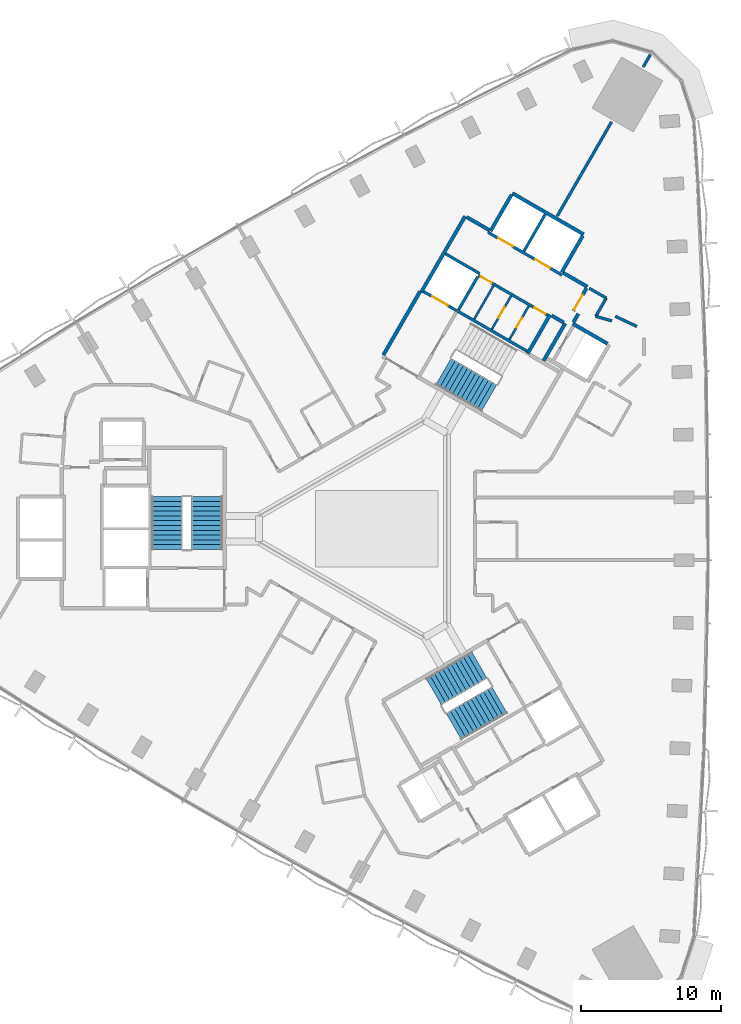
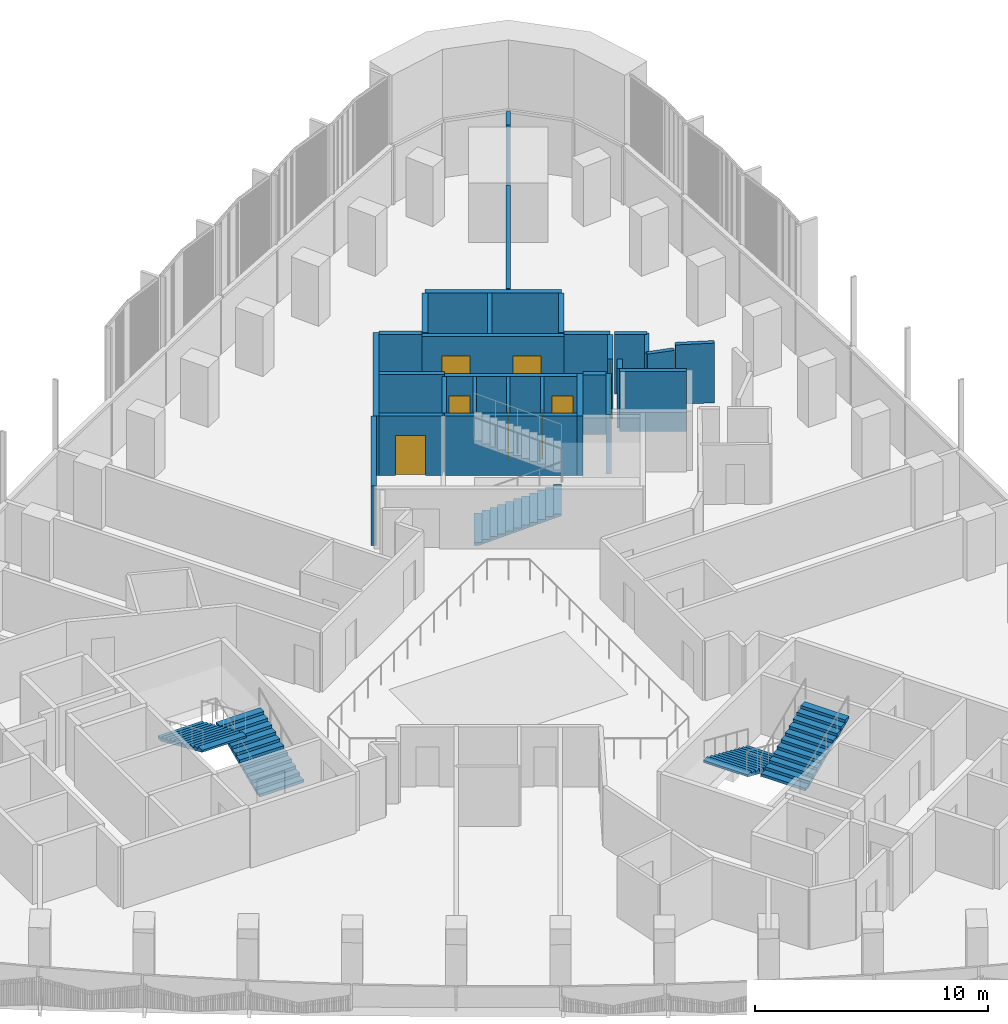
# One storey, part 11 of 15: 29 walls, 8 doors, 5 stair flights, 8 openings, 3 elements without a shape of their own.
"""IFC4 building model written with IfcOpenShell, lengths in metres."""

from ifc_helpers import new_model, si_unit, direction, frame, frame_2d, origin, place, context, subcontext, project, spatial, polyline, rectangle, outline, extrude, material, layer, layer_set, type_object, element, fill, aggregate, save


model = new_model("IFC4")

# Units and contexts
model_context = context("Model", 3, precision=1e-05, world=origin(), true_north=direction((0.0, 1.0)))
body_context = subcontext(model_context, "Body", "Model", "MODEL_VIEW")
ifc_project = project(units=[si_unit("LENGTHUNIT", "METRE"), si_unit("AREAUNIT", "SQUARE_METRE"), si_unit("VOLUMEUNIT", "CUBIC_METRE"), si_unit("PLANEANGLEUNIT", "RADIAN"), si_unit("MASSUNIT", "GRAM", prefix="KILO")], contexts=[model_context])

# Site, building, storey
site_placement = place(None, origin())
site = spatial("IfcSite", under=ifc_project, at=site_placement, CompositionType="ELEMENT")
building_placement = place(site_placement, origin())
building = spatial("IfcBuilding", under=site, at=building_placement, Name="Tamra Quay Hotel Tower", CompositionType="ELEMENT")
storey_placement = place(building_placement, frame((0.0, 0.0, 35.0)))
storey = spatial("IfcBuildingStorey", under=building, at=storey_placement, Name="L06", CompositionType="ELEMENT", Elevation=35.0)

# Wall, openings, doors
ifc_material_1 = material(Name="Concrete M70", Category="concrete")
ifc_layer_1 = layer(ifc_material_1, 0.199951171875)
ifc_layer_set_1 = layer_set([ifc_layer_1], Name="Concrete M70 core wall 200")
wall_type_1 = type_object("IfcWallType", Name="Concrete M70 core wall 200", PredefinedType="SHEAR", material=ifc_layer_set_1)
wall_1_placement = place(storey_placement, frame((13.209716796875, 18.07958984375, 0.0), z_axis=(0.0, 0.0, 1.0), x_axis=(-0.866030299012, 0.499991521122, 0.0)))
wall_1 = element("IfcWall", 1, at=wall_1_placement, inside=storey, type_object=wall_type_1, Name="CW2", PredefinedType="SHEAR", context=body_context, shape_type="SweptSolid", body=[
    extrude(rectangle(XDim=6.10009765625, YDim=0.199951171875, at=frame_2d((3.050048828125, 0.0))), origin(), (0.0, 0.0, 1.0), 3.125),
])
opening_1_placement = place(wall_1_placement, frame((1.0, 0.0, 0.0)))
opening_1 = element("IfcOpeningElement", 2, at=opening_1_placement, cuts=wall_1, Name="Opening LD", PredefinedType="OPENING", context=body_context, shape_type="SweptSolid", body=[
    extrude(rectangle(XDim=1.199951171875, YDim=2.10009765625, at=frame_2d((0.60009765625, 1.050048828125))), frame((0.0, 0.10986328125, 0.0), z_axis=(0.0, -1.0, 0.0), x_axis=(1.0, 0.0, 0.0)), (0.0, 0.0, 1.0), 0.219970703125),
])
opening_2_placement = place(wall_1_placement, frame((4.05029296875, 0.0, 0.0)))
opening_2 = element("IfcOpeningElement", 3, at=opening_2_placement, cuts=wall_1, Name="Opening LD", PredefinedType="OPENING", context=body_context, shape_type="SweptSolid", body=[
    extrude(rectangle(XDim=1.199951171875, YDim=2.10009765625, at=frame_2d((0.60009765625, 1.050048828125))), frame((0.0, 0.10986328125, 0.0), z_axis=(0.0, -1.0, 0.0), x_axis=(1.0, 0.0, 0.0)), (0.0, 0.0, 1.0), 0.219970703125),
])
ifc_material_2 = material(Name="Landing door LD 1200 double door sliding")
door_type_1 = type_object("IfcDoorType", Name="Landing door LD 1200 double door sliding", OperationType="DOUBLE_DOOR_SLIDING", PredefinedType="DOOR", material=ifc_material_2)
door_1_placement = place(opening_1_placement, origin())
door_1 = element("IfcDoor", 4, at=door_1_placement, inside=storey, type_object=door_type_1, Name="LD", OperationType="DOUBLE_DOOR_SLIDING", OverallHeight=2.10009765625, OverallWidth=1.199951171875, PredefinedType="DOOR", context=body_context, shape_type="SweptSolid", body=[
    extrude(rectangle(XDim=1.199951171875, YDim=2.10009765625, at=frame_2d((0.60009765625, 1.050048828125))), frame((0.0, 0.02490234375, 0.0), z_axis=(0.0, -1.0, 0.0), x_axis=(1.0, 0.0, 0.0)), (0.0, 0.0, 1.0), 0.050048828125),
])
fill(opening_1, door_1)
door_2_placement = place(opening_2_placement, origin())
door_2 = element("IfcDoor", 5, at=door_2_placement, inside=storey, type_object=door_type_1, Name="LD", OperationType="DOUBLE_DOOR_SLIDING", OverallHeight=2.10009765625, OverallWidth=1.199951171875, PredefinedType="DOOR", context=body_context, shape_type="SweptSolid", body=[
    extrude(rectangle(XDim=1.199951171875, YDim=2.10009765625, at=frame_2d((0.60009765625, 1.050048828125))), frame((0.0, 0.02490234375, 0.0), z_axis=(0.0, -1.0, 0.0), x_axis=(1.0, 0.0, 0.0)), (0.0, 0.0, 1.0), 0.050048828125),
])
fill(opening_2, door_2)

# Wall
wall_2_placement = place(storey_placement, frame((5.774658203125, 15.501953125, 0.0), z_axis=(0.0, 0.0, 1.0), x_axis=(0.866020080793, -0.500009219579, 0.0)))
element("IfcWall", 6, at=wall_2_placement, inside=storey, type_object=wall_type_1, Name="CW2", PredefinedType="SHEAR", context=body_context, shape_type="SweptSolid", body=[
    extrude(rectangle(XDim=5.69921875, YDim=0.199951171875, at=frame_2d((2.849609375, 0.0))), origin(), (0.0, 0.0, 1.0), 3.125),
])

# Wall, openings, doors
wall_3_placement = place(storey_placement, frame((12.18505859375, 15.20703125, 0.0), z_axis=(0.0, 0.0, 1.0), x_axis=(-0.866020080793, 0.500009219579, 0.0)))
wall_3 = element("IfcWall", 7, at=wall_3_placement, inside=storey, type_object=wall_type_1, Name="CW2", PredefinedType="SHEAR", context=body_context, shape_type="SweptSolid", body=[
    extrude(rectangle(XDim=5.69921875, YDim=0.199951171875, at=frame_2d((2.849609375, 0.0))), origin(), (0.0, 0.0, 1.0), 3.125),
])
opening_3_placement = place(wall_3_placement, frame((0.174072265625, 0.0, 0.0)))
opening_3 = element("IfcOpeningElement", 8, at=opening_3_placement, cuts=wall_3, Name="Opening D2", PredefinedType="OPENING", context=body_context, shape_type="SweptSolid", body=[
    extrude(rectangle(XDim=0.89990234375, YDim=2.10009765625, at=frame_2d((0.449951171875, 1.050048828125))), frame((0.0, 0.10986328125, 0.0), z_axis=(0.0, -1.0, 0.0), x_axis=(1.0, 0.0, 0.0)), (0.0, 0.0, 1.0), 0.219970703125),
])
opening_4_placement = place(wall_3_placement, frame((4.59912109375, 0.0, 0.0)))
opening_4 = element("IfcOpeningElement", 9, at=opening_4_placement, cuts=wall_3, Name="Opening D2", PredefinedType="OPENING", context=body_context, shape_type="SweptSolid", body=[
    extrude(rectangle(XDim=0.89990234375, YDim=2.10009765625, at=frame_2d((0.449951171875, 1.050048828125))), frame((0.0, 0.10986328125, 0.0), z_axis=(0.0, -1.0, 0.0), x_axis=(1.0, 0.0, 0.0)), (0.0, 0.0, 1.0), 0.219970703125),
])
ifc_material_3 = material(Name="Core door D2 900x2100 LH")
door_type_2 = type_object("IfcDoorType", Name="Core door D2 900x2100 LH", OperationType="NOTDEFINED", PredefinedType="DOOR", material=ifc_material_3)
door_3_placement = place(opening_4_placement, origin())
door_3 = element("IfcDoor", 10, at=door_3_placement, inside=storey, type_object=door_type_2, Name="D2", OperationType="SINGLE_SWING_LEFT", OverallHeight=2.10009765625, OverallWidth=0.89990234375, PredefinedType="DOOR", context=body_context, shape_type="SweptSolid", body=[
    extrude(rectangle(XDim=0.89990234375, YDim=2.10009765625, at=frame_2d((0.449951171875, 1.050048828125))), frame((0.0, 0.02490234375, 0.0), z_axis=(0.0, -1.0, 0.0), x_axis=(1.0, 0.0, 0.0)), (0.0, 0.0, 1.0), 0.050048828125),
])
fill(opening_4, door_3)
ifc_material_4 = material(Name="Core door D2 900x2100 RH")
door_type_3 = type_object("IfcDoorType", Name="Core door D2 900x2100 RH", OperationType="NOTDEFINED", PredefinedType="DOOR", material=ifc_material_4)
door_4_placement = place(opening_3_placement, origin())
door_4 = element("IfcDoor", 11, at=door_4_placement, inside=storey, type_object=door_type_3, Name="D2", OperationType="SINGLE_SWING_RIGHT", OverallHeight=2.10009765625, OverallWidth=0.89990234375, PredefinedType="DOOR", context=body_context, shape_type="SweptSolid", body=[
    extrude(rectangle(XDim=0.89990234375, YDim=2.10009765625, at=frame_2d((0.449951171875, 1.050048828125))), frame((0.0, 0.02490234375, 0.0), z_axis=(0.0, -1.0, 0.0), x_axis=(1.0, 0.0, 0.0)), (0.0, 0.0, 1.0), 0.050048828125),
])
fill(opening_3, door_4)

# Walls
wall_4_placement = place(storey_placement, frame((10.48876953125, 19.76708984375, 0.0), z_axis=(0.0, 0.0, 1.0), x_axis=(0.499946628782, 0.866056215479, 0.0)))
element("IfcWall", 12, at=wall_4_placement, inside=storey, type_object=wall_type_1, Name="CW2", PredefinedType="SHEAR", context=body_context, shape_type="SweptSolid", body=[
    extrude(rectangle(XDim=3.048095703125, YDim=0.199951171875, at=frame_2d((1.52392578125, 0.0))), origin(), (0.0, 0.0, 1.0), 3.125),
])
wall_5_placement = place(storey_placement, frame((7.199462890625, 17.969970703125, 0.0), z_axis=(0.0, 0.0, 1.0), x_axis=(-0.499968400327, -0.866043647095, 0.0)))
element("IfcWall", 13, at=wall_5_placement, inside=storey, type_object=wall_type_1, Name="CW2", PredefinedType="SHEAR", context=body_context, shape_type="SweptSolid", body=[
    extrude(rectangle(XDim=2.749755859375, YDim=0.199951171875, at=frame_2d((1.375, 0.0))), origin(), (0.0, 0.0, 1.0), 3.125),
])

# Wall, opening, door
wall_6_placement = place(storey_placement, frame((5.72509765625, 15.530517578125, 0.0), z_axis=(0.0, 0.0, 1.0), x_axis=(-0.866037306777, 0.499979382845, 0.0)))
wall_6 = element("IfcWall", 14, at=wall_6_placement, inside=storey, type_object=wall_type_1, Name="CW2", PredefinedType="SHEAR", context=body_context, shape_type="SweptSolid", body=[
    extrude(rectangle(XDim=2.74169921875, YDim=0.199951171875, at=frame_2d((1.370849609375, 0.0))), origin(), (0.0, 0.0, 1.0), 3.125),
])
opening_5_placement = place(wall_6_placement, frame((0.742919921875, 0.0, 0.0)))
opening_5 = element("IfcOpeningElement", 15, at=opening_5_placement, cuts=wall_6, Name="Opening LD", PredefinedType="OPENING", context=body_context, shape_type="SweptSolid", body=[
    extrude(rectangle(XDim=1.300048828125, YDim=2.10009765625, at=frame_2d((0.64990234375, 1.050048828125))), frame((0.0, 0.10986328125, 0.0), z_axis=(0.0, -1.0, 0.0), x_axis=(1.0, 0.0, 0.0)), (0.0, 0.0, 1.0), 0.219970703125),
])
ifc_material_5 = material(Name="Landing door LD 1300 sliding to left")
door_type_4 = type_object("IfcDoorType", Name="Landing door LD 1300 sliding to left", OperationType="NOTDEFINED", PredefinedType="DOOR", material=ifc_material_5)
door_5_placement = place(opening_5_placement, origin())
door_5 = element("IfcDoor", 16, at=door_5_placement, inside=storey, type_object=door_type_4, Name="LD", OperationType="SLIDING_TO_LEFT", OverallHeight=2.10009765625, OverallWidth=1.300048828125, PredefinedType="DOOR", context=body_context, shape_type="SweptSolid", body=[
    extrude(rectangle(XDim=1.300048828125, YDim=2.10009765625, at=frame_2d((0.64990234375, 1.050048828125))), frame((0.0, 0.02490234375, 0.0), z_axis=(0.0, -1.0, 0.0), x_axis=(1.0, 0.0, 0.0)), (0.0, 0.0, 1.0), 0.050048828125),
])
fill(opening_5, door_5)

# Walls
wall_7_placement = place(storey_placement, frame((4.900634765625, 19.5859375, 0.0), z_axis=(0.0, 0.0, 1.0), x_axis=(0.866022890907, -0.500004352405, 0.0)))
element("IfcWall", 17, at=wall_7_placement, inside=storey, type_object=wall_type_1, Name="CW2", PredefinedType="SHEAR", context=body_context, shape_type="SweptSolid", body=[
    extrude(rectangle(XDim=2.798828125, YDim=0.199951171875, at=frame_2d((1.3994140625, 0.0))), origin(), (0.0, 0.0, 1.0), 3.125),
])
ifc_layer_2 = layer(ifc_material_1, 0.25)
ifc_layer_set_2 = layer_set([ifc_layer_2], Name="Concrete M70 core wall 250")
wall_type_2 = type_object("IfcWallType", Name="Concrete M70 core wall 250", PredefinedType="SHEAR", material=ifc_layer_set_2)
wall_8_placement = place(storey_placement, frame((3.178955078125, 16.856201171875, 0.0), z_axis=(0.0, 0.0, 1.0), x_axis=(0.500004234368, 0.866022959057, 0.0)))
element("IfcWall", 18, at=wall_8_placement, inside=storey, type_object=wall_type_2, Name="CW1", PredefinedType="SHEAR", context=body_context, shape_type="SweptSolid", body=[
    extrude(rectangle(XDim=6.25, YDim=0.25, at=frame_2d((3.125, 0.0))), origin(), (0.0, 0.0, 1.0), 3.125),
])
wall_9_placement = place(storey_placement, frame((9.672607421875, 23.9033203125, 0.0), z_axis=(0.0, 0.0, 1.0), x_axis=(0.86603616409, -0.499981362141, 0.0)))
element("IfcWall", 19, at=wall_9_placement, inside=storey, type_object=wall_type_2, Name="CW1", PredefinedType="SHEAR", context=body_context, shape_type="SweptSolid", body=[
    extrude(rectangle(XDim=5.849853515625, YDim=0.25, at=frame_2d((2.9248046875, 0.0))), origin(), (0.0, 0.0, 1.0), 3.125),
])
wall_10_placement = place(storey_placement, frame((0.47998046875, 12.38134765625, 0.0), z_axis=(0.0, 0.0, 1.0), x_axis=(0.49999885962, 0.866026062182, 0.0)))
element("IfcWall", 20, at=wall_10_placement, inside=storey, type_object=wall_type_2, Name="CW1", PredefinedType="SHEAR", context=body_context, shape_type="SweptSolid", body=[
    extrude(rectangle(XDim=5.224609375, YDim=0.25, at=frame_2d((2.6123046875, 0.0))), origin(), (0.0, 0.0, 1.0), 3.125),
])
wall_11_placement = place(storey_placement, frame((12.356689453125, 15.25244140625, 0.0), z_axis=(0.0, 0.0, 1.0), x_axis=(-0.500028443584, -0.866008981251, 0.0)))
element("IfcWall", 21, at=wall_11_placement, inside=storey, type_object=wall_type_2, Name="CW1", PredefinedType="SHEAR", context=body_context, shape_type="SweptSolid", body=[
    extrude(rectangle(XDim=3.199951171875, YDim=0.25, at=frame_2d((1.60009765625, 0.0))), origin(), (0.0, 0.0, 1.0), 3.125),
])
for number, where, z_axis, x_axis, name in (
    (22, (8.12255859375, 21.21875, 0.0), (0.0, 0.0, 1.0), (0.499987686533, 0.866032512851, 0.0), "CW1"),
    (23, (14.67626953125, 20.869873046875, 0.0), (0.0, 0.0, 1.0), (-0.499987686533, -0.866032512851, 0.0), "CW1"),
):
    element("IfcWall", number, at=place(storey_placement, frame(where, z_axis=z_axis, x_axis=x_axis)), inside=storey, type_object=wall_type_2, Name=name, PredefinedType="SHEAR", context=body_context, shape_type="SweptSolid", body=[
        extrude(rectangle(XDim=2.974609375, YDim=0.25, at=frame_2d((1.4873046875, 0.0))), origin(), (0.0, 0.0, 1.0), 3.125),
    ])
wall_12_placement = place(storey_placement, frame((13.962646484375, 14.61376953125, 0.0), z_axis=(0.0, 0.0, 1.0), x_axis=(0.866042235819, -0.499970844928, 0.0)))
element("IfcWall", 24, at=wall_12_placement, inside=storey, type_object=wall_type_2, Name="CW1", PredefinedType="SHEAR", context=body_context, shape_type="SweptSolid", body=[
    extrude(rectangle(XDim=2.864501953125, YDim=0.25, at=frame_2d((1.43212890625, 0.0))), origin(), (0.0, 0.0, 1.0), 3.125),
])
wall_13_placement = place(storey_placement, frame((11.887939453125, 11.960693359375, 0.0), z_axis=(0.0, 0.0, 1.0), x_axis=(0.500003324108, 0.866023484601, 0.0)))
element("IfcWall", 25, at=wall_13_placement, inside=storey, type_object=wall_type_2, Name="CW1", PredefinedType="SHEAR", context=body_context, shape_type="SweptSolid", body=[
    extrude(rectangle(XDim=3.0849609375, YDim=0.25, at=frame_2d((1.54248046875, 0.0))), origin(), (0.0, 0.0, 1.0), 3.125),
])
wall_14_placement = place(storey_placement, frame((13.29736328125, 18.23095703125, 0.0), z_axis=(0.0, 0.0, 1.0), x_axis=(0.866043531843, -0.499968599967, 0.0)))
element("IfcWall", 26, at=wall_14_placement, inside=storey, type_object=wall_type_2, Name="CW1", PredefinedType="SHEAR", context=body_context, shape_type="SweptSolid", body=[
    extrude(rectangle(XDim=1.974853515625, YDim=0.25, at=frame_2d((0.9873046875, 0.0))), origin(), (0.0, 0.0, 1.0), 3.125),
])
wall_15_placement = place(storey_placement, frame((6.41259765625, 22.2060546875, 0.0), z_axis=(0.0, 0.0, 1.0), x_axis=(0.866016279763, -0.500015802937, 0.0)))
element("IfcWall", 27, at=wall_15_placement, inside=storey, type_object=wall_type_2, Name="CW1", PredefinedType="SHEAR", context=body_context, shape_type="SweptSolid", body=[
    extrude(rectangle(XDim=1.84912109375, YDim=0.25, at=frame_2d((0.924560546875, 0.0))), origin(), (0.0, 0.0, 1.0), 3.125),
])

# Wall, opening, door
wall_16_placement = place(storey_placement, frame((14.94482421875, 17.13525390625, 0.0), z_axis=(0.0, 0.0, 1.0), x_axis=(-0.499983108224, -0.866035156036, 0.0)))
wall_16 = element("IfcWall", 28, at=wall_16_placement, inside=storey, type_object=wall_type_2, Name="CW1", PredefinedType="SHEAR", context=body_context, shape_type="SweptSolid", body=[
    extrude(rectangle(XDim=1.86474609375, YDim=0.25, at=frame_2d((0.932373046875, 0.0))), origin(), (0.0, 0.0, 1.0), 3.125),
])
opening_6_placement = place(wall_16_placement, frame((0.53466796875, 0.0, 0.0)))
opening_6 = element("IfcOpeningElement", 29, at=opening_6_placement, cuts=wall_16, Name="Opening FD3", PredefinedType="OPENING", context=body_context, shape_type="SweptSolid", body=[
    extrude(rectangle(XDim=1.25, YDim=2.10009765625, at=frame_2d((0.625, 1.050048828125))), frame((0.0, 0.135009765625, 0.0), z_axis=(0.0, -1.0, 0.0), x_axis=(1.0, 0.0, 0.0)), (0.0, 0.0, 1.0), 0.27001953125),
])
ifc_material_6 = material(Name="Core door FD3 1250x2100 LH")
door_type_5 = type_object("IfcDoorType", Name="Core door FD3 1250x2100 LH", OperationType="NOTDEFINED", PredefinedType="DOOR", material=ifc_material_6)
door_6_placement = place(opening_6_placement, origin())
door_6 = element("IfcDoor", 30, at=door_6_placement, inside=storey, type_object=door_type_5, Name="FD3", OperationType="SINGLE_SWING_LEFT", OverallHeight=2.10009765625, OverallWidth=1.25, PredefinedType="DOOR", context=body_context, shape_type="SweptSolid", body=[
    extrude(rectangle(XDim=1.25, YDim=2.10009765625, at=frame_2d((0.625, 1.050048828125))), frame((0.0, 0.02490234375, 0.0), z_axis=(0.0, -1.0, 0.0), x_axis=(1.0, 0.0, 0.0)), (0.0, 0.0, 1.0), 0.050048828125),
])
fill(opening_6, door_6)

# Walls
wall_17_placement = place(storey_placement, frame((13.322021484375, 14.695068359375, 0.0), z_axis=(0.0, 0.0, 1.0), x_axis=(-0.866017078145, 0.500014420154, 0.0)))
element("IfcWall", 31, at=wall_17_placement, inside=storey, type_object=wall_type_2, Name="CW1", PredefinedType="SHEAR", context=body_context, shape_type="SweptSolid", body=[
    extrude(rectangle(XDim=0.9892578125, YDim=0.25, at=frame_2d((0.49462890625, 0.0))), origin(), (0.0, 0.0, 1.0), 3.125),
])
wall_18_placement = place(storey_placement, frame((14.36767578125, 15.3154296875, 0.0), z_axis=(0.0, 0.0, 1.0), x_axis=(-0.499897359611, -0.866084655132, 0.0)))
element("IfcWall", 32, at=wall_18_placement, inside=storey, type_object=wall_type_2, Name="CW1", PredefinedType="SHEAR", context=body_context, shape_type="SweptSolid", body=[
    extrude(rectangle(XDim=0.684814453125, YDim=0.25, at=frame_2d((0.34228515625, 0.0))), origin(), (0.0, 0.0, 1.0), 3.125),
])

# Wall, opening, door
ifc_material_7 = material(Name="Blockwork", Category="masonry")
ifc_layer_3 = layer(ifc_material_7, 0.14990234375)
ifc_layer_set_3 = layer_set([ifc_layer_3], Name="Core partition block 150")
wall_type_3 = type_object("IfcWallType", Name="Core partition block 150", PredefinedType="PARTITIONING", material=ifc_layer_set_3)
wall_19_placement = place(storey_placement, frame((9.462158203125, 13.4892578125, 0.0), z_axis=(0.0, 0.0, 1.0), x_axis=(0.50002746344, 0.86600954718, 0.0)))
wall_19 = element("IfcWall", 33, at=wall_19_placement, inside=storey, type_object=wall_type_3, Name="CP1", PredefinedType="PARTITIONING", context=body_context, shape_type="SweptSolid", body=[
    extrude(rectangle(XDim=2.748291015625, YDim=0.14990234375, at=frame_2d((1.3740234375, 0.0))), origin(), (0.0, 0.0, 1.0), 3.125),
])
opening_7_placement = place(wall_19_placement, frame((0.97412109375, 0.0, 0.0)))
opening_7 = element("IfcOpeningElement", 34, at=opening_7_placement, cuts=wall_19, Name="Opening D3", PredefinedType="OPENING", context=body_context, shape_type="SweptSolid", body=[
    extrude(rectangle(XDim=0.800048828125, YDim=2.10009765625, at=frame_2d((0.39990234375, 1.050048828125))), frame((0.0, 0.0849609375, 0.0), z_axis=(0.0, -1.0, 0.0), x_axis=(1.0, 0.0, 0.0)), (0.0, 0.0, 1.0), 0.169921875),
])
ifc_material_8 = material(Name="Core door D3 800x2100 LH")
door_type_6 = type_object("IfcDoorType", Name="Core door D3 800x2100 LH", OperationType="NOTDEFINED", PredefinedType="DOOR", material=ifc_material_8)
door_7_placement = place(opening_7_placement, origin())
door_7 = element("IfcDoor", 35, at=door_7_placement, inside=storey, type_object=door_type_6, Name="D3", OperationType="SINGLE_SWING_LEFT", OverallHeight=2.10009765625, OverallWidth=0.800048828125, PredefinedType="DOOR", context=body_context, shape_type="SweptSolid", body=[
    extrude(rectangle(XDim=0.800048828125, YDim=2.10009765625, at=frame_2d((0.39990234375, 1.050048828125))), frame((0.0, 0.02490234375, 0.0), z_axis=(0.0, -1.0, 0.0), x_axis=(1.0, 0.0, 0.0)), (0.0, 0.0, 1.0), 0.050048828125),
])
fill(opening_7, door_7)

wall_20_placement = place(storey_placement, frame((8.20654296875, 14.214111328125, 0.0), z_axis=(0.0, 0.0, 1.0), x_axis=(0.499922376475, 0.866070215109, 0.0)))
wall_20 = element("IfcWall", 36, at=wall_20_placement, inside=storey, type_object=wall_type_3, Name="CP1", PredefinedType="PARTITIONING", context=body_context, shape_type="SweptSolid", body=[
    extrude(rectangle(XDim=2.74853515625, YDim=0.14990234375, at=frame_2d((1.374267578125, 0.0))), origin(), (0.0, 0.0, 1.0), 3.125),
])
opening_8_placement = place(wall_20_placement, frame((0.92431640625, 0.0, 0.0)))
opening_8 = element("IfcOpeningElement", 37, at=opening_8_placement, cuts=wall_20, Name="Opening D2", PredefinedType="OPENING", context=body_context, shape_type="SweptSolid", body=[
    extrude(rectangle(XDim=0.89990234375, YDim=2.10009765625, at=frame_2d((0.449951171875, 1.050048828125))), frame((0.0, 0.0849609375, 0.0), z_axis=(0.0, -1.0, 0.0), x_axis=(1.0, 0.0, 0.0)), (0.0, 0.0, 1.0), 0.169921875),
])
door_8_placement = place(opening_8_placement, origin())
door_8 = element("IfcDoor", 38, at=door_8_placement, inside=storey, type_object=door_type_3, Name="D2", OperationType="SINGLE_SWING_RIGHT", OverallHeight=2.10009765625, OverallWidth=0.89990234375, PredefinedType="DOOR", context=body_context, shape_type="SweptSolid", body=[
    extrude(rectangle(XDim=0.89990234375, YDim=2.10009765625, at=frame_2d((0.449951171875, 1.050048828125))), frame((0.0, 0.02490234375, 0.0), z_axis=(0.0, -1.0, 0.0), x_axis=(1.0, 0.0, 0.0)), (0.0, 0.0, 1.0), 0.050048828125),
])
fill(opening_8, door_8)

# Walls
wall_21_placement = place(storey_placement, frame((6.95068359375, 14.939208984375, 0.0), z_axis=(0.0, 0.0, 1.0), x_axis=(0.50002746344, 0.86600954718, 0.0)))
element("IfcWall", 39, at=wall_21_placement, inside=storey, type_object=wall_type_3, Name="CP1", PredefinedType="PARTITIONING", context=body_context, shape_type="SweptSolid", body=[
    extrude(rectangle(XDim=2.748291015625, YDim=0.14990234375, at=frame_2d((1.3740234375, 0.0))), origin(), (0.0, 0.0, 1.0), 3.125),
])
ifc_material_9 = material(Name="Partition corridor wall")
ifc_layer_4 = layer(ifc_material_9, 0.199951171875)
ifc_layer_set_4 = layer_set([ifc_layer_4], Name="Partition corridor wall")
wall_type_4 = type_object("IfcWallType", Name="Partition corridor wall", PredefinedType="PARTITIONING", material=ifc_layer_set_4)
wall_22_placement = place(storey_placement, frame((15.155517578125, 17.130126953125, 0.0), z_axis=(0.0, 0.0, 1.0), x_axis=(0.865755062894, -0.500467952093, 0.0)))
element("IfcWall", 40, at=wall_22_placement, inside=storey, type_object=wall_type_4, Name="W-C", PredefinedType="PARTITIONING", context=body_context, shape_type="SweptSolid", body=[
    extrude(rectangle(XDim=1.388916015625, YDim=0.199951171875, at=frame_2d((0.6943359375, 0.0))), origin(), (0.0, 0.0, 1.0), 3.125),
])
wall_23_placement = place(storey_placement, frame((15.60888671875, 15.135986328125, 0.0), z_axis=(0.0, 0.0, 1.0), x_axis=(0.499501622561, 0.866312950993, 0.0)))
element("IfcWall", 41, at=wall_23_placement, inside=storey, type_object=wall_type_4, Name="W-C", PredefinedType="PARTITIONING", context=body_context, shape_type="SweptSolid", body=[
    extrude(rectangle(XDim=1.49951171875, YDim=0.199951171875, at=frame_2d((0.749755859375, 0.0))), origin(), (0.0, 0.0, 1.0), 3.125),
])
wall_24_placement = place(storey_placement, frame((15.60888671875, 15.135986328125, 0.0), z_axis=(0.0, 0.0, 1.0), x_axis=(0.961662011825, -0.274237442763, 0.0)))
element("IfcWall", 42, at=wall_24_placement, inside=storey, type_object=wall_type_4, Name="W-C", PredefinedType="PARTITIONING", context=body_context, shape_type="SweptSolid", body=[
    extrude(rectangle(XDim=1.199951171875, YDim=0.199951171875, at=frame_2d((0.60009765625, 0.0))), origin(), (0.0, 0.0, 1.0), 3.125),
])
wall_25_placement = place(storey_placement, frame((17.009033203125, 15.134033203125, 0.0), z_axis=(0.0, 0.0, 1.0), x_axis=(0.904158632931, -0.427196870887, 0.0)))
element("IfcWall", 43, at=wall_25_placement, inside=storey, type_object=wall_type_4, Name="W-C", PredefinedType="PARTITIONING", context=body_context, shape_type="SweptSolid", body=[
    extrude(rectangle(XDim=1.687744140625, YDim=0.199951171875, at=frame_2d((0.84375, 0.0))), origin(), (0.0, 0.0, 1.0), 3.125),
])
ifc_material_10 = material(Name="Partition party wall")
ifc_layer_5 = layer(ifc_material_10, 0.199951171875)
ifc_layer_set_5 = layer_set([ifc_layer_5], Name="Partition party wall")
wall_type_5 = type_object("IfcWallType", Name="Partition party wall", PredefinedType="PARTITIONING", material=ifc_layer_set_5)
wall_26_placement = place(storey_placement, frame((12.861083984375, 22.276123046875, 0.0), z_axis=(0.0, 0.0, 1.0), x_axis=(0.499864184076, 0.866103802946, 0.0)))
element("IfcWall", 44, at=wall_26_placement, inside=storey, type_object=wall_type_5, Name="W-P", PredefinedType="PARTITIONING", context=body_context, shape_type="SweptSolid", body=[
    extrude(rectangle(XDim=7.754150390625, YDim=0.199951171875, at=frame_2d((3.876953125, 0.0))), origin(), (0.0, 0.0, 1.0), 3.125),
])
wall_27_placement = place(storey_placement, frame((18.987548828125, 32.891845703125, 0.0), z_axis=(0.0, 0.0, 1.0), x_axis=(0.500041382571, 0.866001510228, 0.0)))
element("IfcWall", 45, at=wall_27_placement, inside=storey, type_object=wall_type_5, Name="W-P", PredefinedType="PARTITIONING", context=body_context, shape_type="SweptSolid", body=[
    extrude(rectangle(XDim=1.01611328125, YDim=0.199951171875, at=frame_2d((0.508056640625, 0.0))), origin(), (0.0, 0.0, 1.0), 3.125),
])

# Stair, stair flights
ifc_material_11 = material(Name="Exit stair 2200 24 risers 150.0 going 342")
stair_type = type_object("IfcStairType", Name="Exit stair 2200 24 risers 150.0 going 342", PredefinedType="HALF_TURN_STAIR", material=ifc_material_11)
stair_1_placement = place(storey_placement, origin())
stair_1 = element("IfcStair", 46, at=stair_1_placement, inside=storey, type_object=stair_type, Name="L06 Exit stair ST3", PredefinedType="HALF_TURN_STAIR")
ifc_material_12 = material(Name="Exit stair flight 2200 12 risers 150.0")
stair_flight_type = type_object("IfcStairFlightType", Name="Exit stair flight 2200 12 risers 150.0", PredefinedType="STRAIGHT", material=ifc_material_12)
stair_flight_1_placement = place(storey_placement, frame((-12.082275390625, -1.47998046875, 0.0), z_axis=(0.0, 0.0, 1.0), x_axis=(0.0, 1.0, 0.0)))
stair_flight_1 = element("IfcStairFlight", 47, at=stair_flight_1_placement, type_object=stair_flight_type, Name="ST3 flight 1", NumberOfRisers=12, NumberOfTreads=11, PredefinedType="STRAIGHT", RiserHeight=0.15, TreadLength=0.342, context=body_context, shape_type="SweptSolid", body=[
    extrude(outline(polyline([(0.0, 0.0), (0.0, 0.14990234375), (0.342041015625, 0.14990234375), (0.342041015625, 0.300048828125), (0.68408203125, 0.300048828125), (0.68408203125, 0.449951171875), (1.02587890625, 0.449951171875), (1.02587890625, 0.60009765625), (1.367919921875, 0.60009765625), (1.367919921875, 0.75), (1.7099609375, 0.75), (1.7099609375, 0.89990234375), (2.052001953125, 0.89990234375), (2.052001953125, 1.050048828125), (2.39404296875, 1.050048828125), (2.39404296875, 1.199951171875), (2.736083984375, 1.199951171875), (2.736083984375, 1.35009765625), (3.077880859375, 1.35009765625), (3.077880859375, 1.5), (3.419921875, 1.5), (3.419921875, 1.64990234375), (3.761962890625, 1.64990234375), (3.761962890625, 1.800048828125), (3.761962890625, 1.540771484375), (0.249267578125, 0.0), (0.0, 0.0)])), frame((0.0, 1.10009765625, 0.0), z_axis=(0.0, -1.0, 0.0), x_axis=(1.0, 0.0, 0.0)), (0.0, 0.0, 1.0), 2.199951171875),
])
stair_flight_2_placement = place(storey_placement, frame((-14.94140625, 2.281982421875, 1.800048828125), z_axis=(0.0, 0.0, 1.0), x_axis=(0.0, -1.0, 0.0)))
stair_flight_2 = element("IfcStairFlight", 48, at=stair_flight_2_placement, type_object=stair_flight_type, Name="ST3 flight 2", NumberOfRisers=12, NumberOfTreads=11, PredefinedType="STRAIGHT", RiserHeight=0.15, TreadLength=0.342, context=body_context, shape_type="SweptSolid", body=[
    extrude(outline(polyline([(0.0, 0.0), (0.0, 0.14990234375), (0.342041015625, 0.14990234375), (0.342041015625, 0.300048828125), (0.68408203125, 0.300048828125), (0.68408203125, 0.449951171875), (1.02587890625, 0.449951171875), (1.02587890625, 0.60009765625), (1.367919921875, 0.60009765625), (1.367919921875, 0.75), (1.7099609375, 0.75), (1.7099609375, 0.89990234375), (2.052001953125, 0.89990234375), (2.052001953125, 1.050048828125), (2.39404296875, 1.050048828125), (2.39404296875, 1.199951171875), (2.736083984375, 1.199951171875), (2.736083984375, 1.35009765625), (3.077880859375, 1.35009765625), (3.077880859375, 1.5), (3.419921875, 1.5), (3.419921875, 1.64990234375), (3.761962890625, 1.64990234375), (3.761962890625, 1.800048828125), (3.761962890625, 1.540771484375), (0.249267578125, 0.0), (0.0, 0.0)])), frame((0.0, 1.10009765625, 0.0), z_axis=(0.0, -1.0, 0.0), x_axis=(1.0, 0.0, 0.0)), (0.0, 0.0, 1.0), 2.199951171875),
])
aggregate(stair_1, [stair_flight_1, stair_flight_2])

# Stair, stair flight
stair_2_placement = place(storey_placement, origin())
stair_2 = element("IfcStair", 49, at=stair_2_placement, inside=storey, type_object=stair_type, Name="L06 Exit stair ST1", PredefinedType="HALF_TURN_STAIR")
stair_flight_3_placement = place(storey_placement, frame((4.75927734375, 11.20361328125, 0.0), z_axis=(0.0, 0.0, 1.0), x_axis=(0.866025403784, -0.5, 0.0)))
stair_flight_3 = element("IfcStairFlight", 50, at=stair_flight_3_placement, type_object=stair_flight_type, Name="ST1 flight 1", NumberOfRisers=12, NumberOfTreads=11, PredefinedType="STRAIGHT", RiserHeight=0.15, TreadLength=0.342, context=body_context, shape_type="SweptSolid", body=[
    extrude(outline(polyline([(0.0, 0.0), (0.0, 0.14990234375), (0.342041015625, 0.14990234375), (0.342041015625, 0.300048828125), (0.68408203125, 0.300048828125), (0.68408203125, 0.449951171875), (1.02587890625, 0.449951171875), (1.02587890625, 0.60009765625), (1.367919921875, 0.60009765625), (1.367919921875, 0.75), (1.7099609375, 0.75), (1.7099609375, 0.89990234375), (2.052001953125, 0.89990234375), (2.052001953125, 1.050048828125), (2.39404296875, 1.050048828125), (2.39404296875, 1.199951171875), (2.736083984375, 1.199951171875), (2.736083984375, 1.35009765625), (3.077880859375, 1.35009765625), (3.077880859375, 1.5), (3.419921875, 1.5), (3.419921875, 1.64990234375), (3.761962890625, 1.64990234375), (3.761962890625, 1.800048828125), (3.761962890625, 1.540771484375), (0.249267578125, 0.0), (0.0, 0.0)])), frame((0.0, 1.10009765625, 0.0), z_axis=(0.0, -1.0, 0.0), x_axis=(1.0, 0.0, 0.0)), (0.0, 0.0, 1.0), 2.199951171875),
])
aggregate(stair_2, [stair_flight_3])

# Stair, stair flights
stair_3_placement = place(storey_placement, origin())
stair_3 = element("IfcStair", 51, at=stair_3_placement, inside=storey, type_object=stair_type, Name="L06 Exit stair ST2", PredefinedType="HALF_TURN_STAIR")
stair_flight_4_placement = place(storey_placement, frame((7.322998046875, -9.7236328125, 0.0), z_axis=(0.0, 0.0, 1.0), x_axis=(-0.866025403784, -0.5, 0.0)))
stair_flight_4 = element("IfcStairFlight", 52, at=stair_flight_4_placement, type_object=stair_flight_type, Name="ST2 flight 1", NumberOfRisers=12, NumberOfTreads=11, PredefinedType="STRAIGHT", RiserHeight=0.15, TreadLength=0.342, context=body_context, shape_type="SweptSolid", body=[
    extrude(outline(polyline([(0.0, 0.0), (0.0, 0.14990234375), (0.342041015625, 0.14990234375), (0.342041015625, 0.300048828125), (0.68408203125, 0.300048828125), (0.68408203125, 0.449951171875), (1.02587890625, 0.449951171875), (1.02587890625, 0.60009765625), (1.367919921875, 0.60009765625), (1.367919921875, 0.75), (1.7099609375, 0.75), (1.7099609375, 0.89990234375), (2.052001953125, 0.89990234375), (2.052001953125, 1.050048828125), (2.39404296875, 1.050048828125), (2.39404296875, 1.199951171875), (2.736083984375, 1.199951171875), (2.736083984375, 1.35009765625), (3.077880859375, 1.35009765625), (3.077880859375, 1.5), (3.419921875, 1.5), (3.419921875, 1.64990234375), (3.761962890625, 1.64990234375), (3.761962890625, 1.800048828125), (3.761962890625, 1.540771484375), (0.249267578125, 0.0), (0.0, 0.0)])), frame((0.0, 1.10009765625, 0.0), z_axis=(0.0, -1.0, 0.0), x_axis=(1.0, 0.0, 0.0)), (0.0, 0.0, 1.0), 2.199951171875),
])
stair_flight_5_placement = place(storey_placement, frame((5.494384765625, -14.08056640625, 1.800048828125), z_axis=(0.0, 0.0, 1.0), x_axis=(0.866025403784, 0.5, 0.0)))
stair_flight_5 = element("IfcStairFlight", 53, at=stair_flight_5_placement, type_object=stair_flight_type, Name="ST2 flight 2", NumberOfRisers=12, NumberOfTreads=11, PredefinedType="STRAIGHT", RiserHeight=0.15, TreadLength=0.342, context=body_context, shape_type="SweptSolid", body=[
    extrude(outline(polyline([(0.0, 0.0), (0.0, 0.14990234375), (0.342041015625, 0.14990234375), (0.342041015625, 0.300048828125), (0.68408203125, 0.300048828125), (0.68408203125, 0.449951171875), (1.02587890625, 0.449951171875), (1.02587890625, 0.60009765625), (1.367919921875, 0.60009765625), (1.367919921875, 0.75), (1.7099609375, 0.75), (1.7099609375, 0.89990234375), (2.052001953125, 0.89990234375), (2.052001953125, 1.050048828125), (2.39404296875, 1.050048828125), (2.39404296875, 1.199951171875), (2.736083984375, 1.199951171875), (2.736083984375, 1.35009765625), (3.077880859375, 1.35009765625), (3.077880859375, 1.5), (3.419921875, 1.5), (3.419921875, 1.64990234375), (3.761962890625, 1.64990234375), (3.761962890625, 1.800048828125), (3.761962890625, 1.540771484375), (0.249267578125, 0.0), (0.0, 0.0)])), frame((0.0, 1.10009765625, 0.0), z_axis=(0.0, -1.0, 0.0), x_axis=(1.0, 0.0, 0.0)), (0.0, 0.0, 1.0), 2.199951171875),
])
aggregate(stair_3, [stair_flight_4, stair_flight_5])

save(model, "model.ifc")
